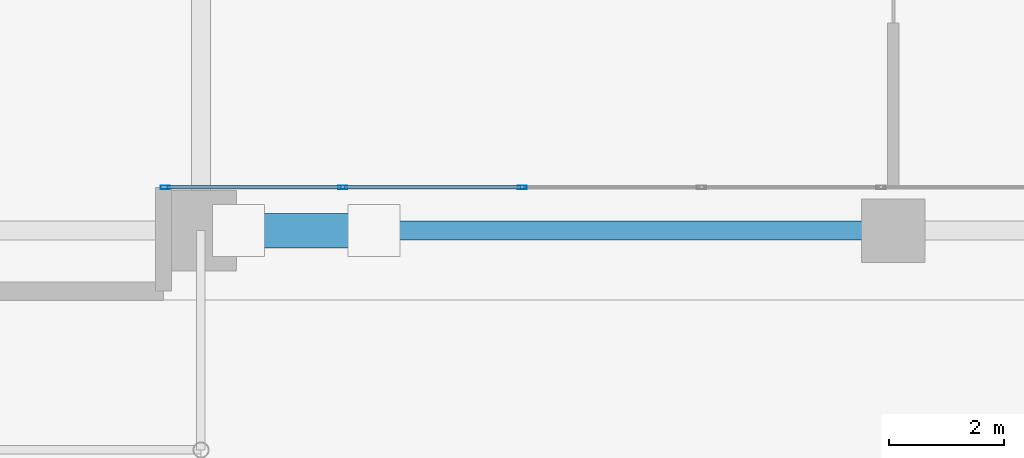
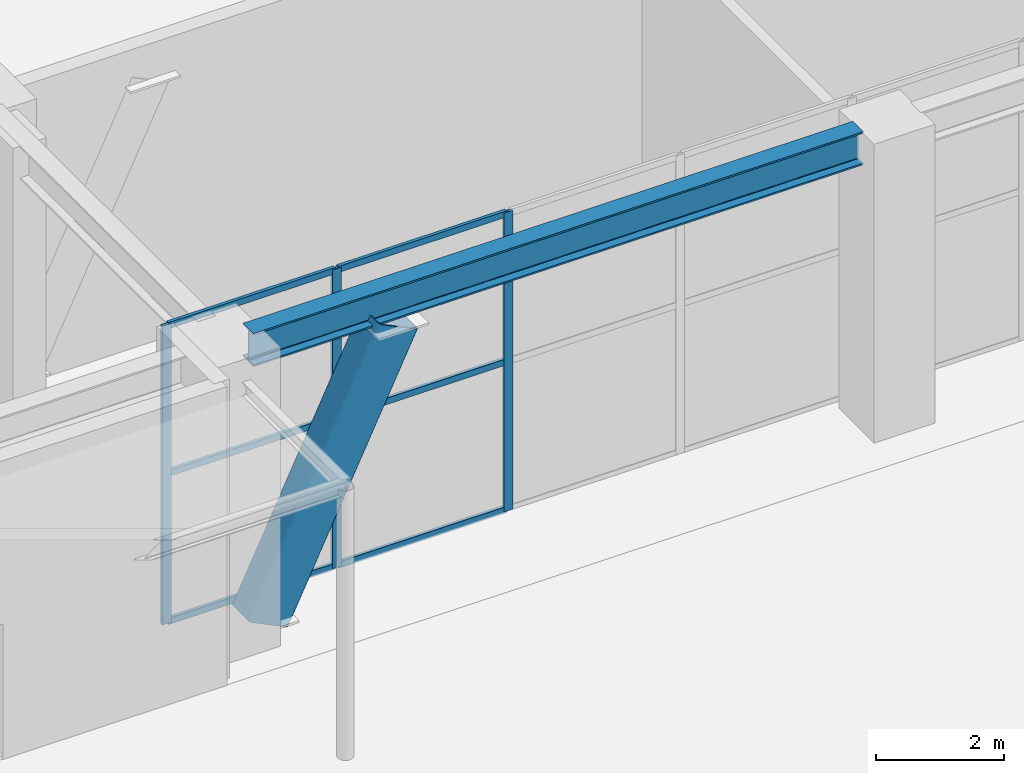
# One storey, part 13 of 49: 10 members, 1 beam, 1 element without a shape of its own.
"""IFC4 building model written with IfcOpenShell, lengths in metres."""

from ifc_helpers import new_model, si_unit, direction, frame, origin, origin_2d, place, context, subcontext, project, spatial, hollow_rectangle, i_section, extrude, material, layer, layer_set, material_profile, profile_set, type_object, element, aggregate, save


model = new_model("IFC4")

# Units and contexts
model_context = context("Model", 3, precision=1e-05, world=origin(), true_north=direction((0.0, 1.0)))
body_context = subcontext(model_context, "Body", "Model", "MODEL_VIEW")
ifc_project = project(units=[si_unit("LENGTHUNIT", "METRE"), si_unit("AREAUNIT", "SQUARE_METRE"), si_unit("VOLUMEUNIT", "CUBIC_METRE"), si_unit("PLANEANGLEUNIT", "RADIAN"), si_unit("MASSUNIT", "GRAM", prefix="KILO")], contexts=[model_context])

# Site, building, storey
site_placement = place(None, origin())
site = spatial("IfcSite", under=ifc_project, at=site_placement, CompositionType="ELEMENT")
building_placement = place(site_placement, origin())
building = spatial("IfcBuilding", under=site, at=building_placement, Name="Sarneth Arch Tower", CompositionType="ELEMENT")
storey_placement = place(building_placement, origin())
storey = spatial("IfcBuildingStorey", under=building, at=storey_placement, Name="L00", CompositionType="ELEMENT", Elevation=0.0)

# Beam
ifc_material_1 = material(Name="Steel S355", Category="steel")
ifc_material_profile_1 = material_profile(ifc_material_1, i_section(OverallWidth=0.3291015625, OverallDepth=0.635009765625, WebThickness=0.017822265625, FlangeThickness=0.031005859375, FilletRadius=0.01904296875, at=origin_2d()), Name="W610x241")
ifc_profile_set_1 = profile_set([ifc_material_profile_1], Name="Steel S355")
beam_type = type_object("IfcBeamType", Name="BM-POD-610", PredefinedType="BEAM", material=ifc_profile_set_1)
beam_placement = place(storey_placement, frame((30.435546875, 9.199951171875, 5.402587890625), z_axis=(1.0, 0.0, 0.0), x_axis=(0.0, 1.0, 0.0)))
element("IfcBeam", 1, at=beam_placement, inside=storey, type_object=beam_type, Name="L00 Podium PS girder 3", PredefinedType="BEAM", context=body_context, shape_type="SweptSolid", body=[
    extrude(i_section(OverallWidth=0.3291015625, OverallDepth=0.635009765625, WebThickness=0.017822265625, FlangeThickness=0.031005859375, FilletRadius=0.01904296875, at=origin_2d()), origin(), (0.0, 0.0, 1.0), 11.04443359375),
])

# Curtain wall, members
ifc_material_2 = material(Name="Anodised aluminium Type AA25 and solar-control low-e laminated IGU", Category="aluminium")
ifc_layer = layer(ifc_material_2, 0.199951171875)
ifc_layer_set = layer_set([ifc_layer], Name="Anodised aluminium Type AA25 and solar-control low-e laminated IGU")
curtain_wall_type = type_object("IfcCurtainWallType", Name="CW-ARCH-GLAZE", PredefinedType="NOTDEFINED", material=ifc_layer_set)
curtain_wall_placement = place(storey_placement, origin())
curtain_wall = element("IfcCurtainWall", 2, at=curtain_wall_placement, inside=storey, type_object=curtain_wall_type, Name="L00 South parabolic arch portal curtain wall", PredefinedType="NOTDEFINED")
ifc_material_3 = material(Name="Anodised Aluminium 6063-T6", Category="aluminium")
ifc_material_profile_2 = material_profile(ifc_material_3, hollow_rectangle(XDim=0.06005859375, YDim=0.159912109375, WallThickness=0.00390625, at=origin_2d()), Name="AL-MULL-160x60x4")
ifc_profile_set_2 = profile_set([ifc_material_profile_2], Name="Anodised Aluminium 6063-T6")
member_type_1 = type_object("IfcMemberType", Name="CW-MULLION", PredefinedType="MULLION", material=ifc_profile_set_2)
member_1_placement = place(storey_placement, frame((29.3798828125, 9.949951171875, 0.0), z_axis=(0.0, 0.0, 1.0), x_axis=(0.0, 1.0, 0.0)))
member_1 = element("IfcMember", 3, at=member_1_placement, type_object=member_type_1, Name="CW-SYS-2 mullion 1", PredefinedType="MULLION", context=body_context, shape_type="SweptSolid", body=[
    extrude(hollow_rectangle(XDim=0.06005859375, YDim=0.159912109375, WallThickness=0.00390625, at=origin_2d()), origin(), (0.0, 0.0, 1.0), 5.719970703125),
])
member_2_placement = place(storey_placement, frame((32.458251953125, 9.949951171875, 0.0), z_axis=(0.0, 0.0, 1.0), x_axis=(0.0, 1.0, 0.0)))
member_2 = element("IfcMember", 4, at=member_2_placement, type_object=member_type_1, Name="CW-SYS-2 mullion 2", PredefinedType="MULLION", context=body_context, shape_type="SweptSolid", body=[
    extrude(hollow_rectangle(XDim=0.06005859375, YDim=0.159912109375, WallThickness=0.00390625, at=origin_2d()), origin(), (0.0, 0.0, 1.0), 5.719970703125),
])
member_3_placement = place(storey_placement, frame((35.566650390625, 9.949951171875, 0.0), z_axis=(0.0, 0.0, 1.0), x_axis=(0.0, 1.0, 0.0)))
member_3 = element("IfcMember", 5, at=member_3_placement, type_object=member_type_1, Name="CW-SYS-2 mullion 3", PredefinedType="MULLION", context=body_context, shape_type="SweptSolid", body=[
    extrude(hollow_rectangle(XDim=0.06005859375, YDim=0.159912109375, WallThickness=0.00390625, at=origin_2d()), origin(), (0.0, 0.0, 1.0), 5.719970703125),
])
ifc_material_4 = material(Name="Anodised Aluminium 6063-T6", Category="aluminium")
ifc_material_profile_3 = material_profile(ifc_material_4, hollow_rectangle(XDim=0.06005859375, YDim=0.1201171875, WallThickness=0.00390625, at=origin_2d()), Name="AL-TRAN-120x60x4")
ifc_profile_set_3 = profile_set([ifc_material_profile_3], Name="Anodised Aluminium 6063-T6")
member_type_2 = type_object("IfcMemberType", Name="CW-TRANSOM", PredefinedType="USERDEFINED", material=ifc_profile_set_3)
member_4_placement = place(storey_placement, frame((29.409912109375, 9.949951171875, 0.030029296875), z_axis=(1.0, 0.0, 0.0), x_axis=(0.0, 1.0, 0.0)))
member_4 = element("IfcMember", 6, at=member_4_placement, type_object=member_type_2, Name="CW-SYS-2 transom 1.1", ObjectType="TRANSOM", PredefinedType="USERDEFINED", context=body_context, shape_type="SweptSolid", body=[
    extrude(hollow_rectangle(XDim=0.06005859375, YDim=0.1201171875, WallThickness=0.00390625, at=origin_2d()), origin(), (0.0, 0.0, 1.0), 3.018310546875),
])
member_5_placement = place(storey_placement, frame((29.409912109375, 9.949951171875, 2.860107421875), z_axis=(1.0, 0.0, 0.0), x_axis=(0.0, 1.0, 0.0)))
member_5 = element("IfcMember", 7, at=member_5_placement, type_object=member_type_2, Name="CW-SYS-2 transom 1.2", ObjectType="TRANSOM", PredefinedType="USERDEFINED", context=body_context, shape_type="SweptSolid", body=[
    extrude(hollow_rectangle(XDim=0.06005859375, YDim=0.1201171875, WallThickness=0.00390625, at=origin_2d()), origin(), (0.0, 0.0, 1.0), 3.018310546875),
])
member_6_placement = place(storey_placement, frame((29.409912109375, 9.949951171875, 5.68994140625), z_axis=(1.0, 0.0, 0.0), x_axis=(0.0, 1.0, 0.0)))
member_6 = element("IfcMember", 8, at=member_6_placement, type_object=member_type_2, Name="CW-SYS-2 transom 1.3", ObjectType="TRANSOM", PredefinedType="USERDEFINED", context=body_context, shape_type="SweptSolid", body=[
    extrude(hollow_rectangle(XDim=0.06005859375, YDim=0.1201171875, WallThickness=0.00390625, at=origin_2d()), origin(), (0.0, 0.0, 1.0), 3.018310546875),
])
member_7_placement = place(storey_placement, frame((32.48828125, 9.949951171875, 0.030029296875), z_axis=(1.0, 0.0, 0.0), x_axis=(0.0, 1.0, 0.0)))
member_7 = element("IfcMember", 9, at=member_7_placement, type_object=member_type_2, Name="CW-SYS-2 transom 2.1", ObjectType="TRANSOM", PredefinedType="USERDEFINED", context=body_context, shape_type="SweptSolid", body=[
    extrude(hollow_rectangle(XDim=0.06005859375, YDim=0.1201171875, WallThickness=0.00390625, at=origin_2d()), origin(), (0.0, 0.0, 1.0), 3.04833984375),
])
member_8_placement = place(storey_placement, frame((32.48828125, 9.949951171875, 2.860107421875), z_axis=(1.0, 0.0, 0.0), x_axis=(0.0, 1.0, 0.0)))
member_8 = element("IfcMember", 10, at=member_8_placement, type_object=member_type_2, Name="CW-SYS-2 transom 2.2", ObjectType="TRANSOM", PredefinedType="USERDEFINED", context=body_context, shape_type="SweptSolid", body=[
    extrude(hollow_rectangle(XDim=0.06005859375, YDim=0.1201171875, WallThickness=0.00390625, at=origin_2d()), origin(), (0.0, 0.0, 1.0), 3.04833984375),
])
member_9_placement = place(storey_placement, frame((32.48828125, 9.949951171875, 5.68994140625), z_axis=(1.0, 0.0, 0.0), x_axis=(0.0, 1.0, 0.0)))
member_9 = element("IfcMember", 11, at=member_9_placement, type_object=member_type_2, Name="CW-SYS-2 transom 2.3", ObjectType="TRANSOM", PredefinedType="USERDEFINED", context=body_context, shape_type="SweptSolid", body=[
    extrude(hollow_rectangle(XDim=0.06005859375, YDim=0.1201171875, WallThickness=0.00390625, at=origin_2d()), origin(), (0.0, 0.0, 1.0), 3.04833984375),
])
aggregate(curtain_wall, [member_1, member_2, member_3, member_4, member_5, member_6, member_7, member_8, member_9])

# Member
ifc_material_5 = material(Name="Steel S355", Category="steel")
ifc_material_profile_4 = material_profile(ifc_material_5, hollow_rectangle(XDim=0.60009765625, YDim=0.800048828125, WallThickness=0.028076171875, InnerFilletRadius=0.0419921875, OuterFilletRadius=0.070068359375, at=origin_2d()), Name="RHS800x600x28")
ifc_profile_set_4 = profile_set([ifc_material_profile_4], Name="Steel S355")
member_type_3 = type_object("IfcMemberType", Name="MEM-ARCH-CHORD", PredefinedType="CHORD", material=ifc_profile_set_4)
member_10_placement = place(storey_placement, frame((30.64990234375, 9.199951171875, 0.14990234375), z_axis=(0.433788519804, 0.0, 0.901014716909), x_axis=(0.0, 1.0, 0.0)))
element("IfcMember", 12, at=member_10_placement, inside=storey, type_object=member_type_3, Name="Podium parabolic arch rib 1 segment 1", PredefinedType="CHORD", context=body_context, shape_type="SweptSolid", body=[
    extrude(hollow_rectangle(XDim=0.60009765625, YDim=0.800048828125, WallThickness=0.028076171875, InnerFilletRadius=0.0419921875, OuterFilletRadius=0.070068359375, at=origin_2d()), origin(), (0.0, 0.0, 1.0), 5.417724609375),
])

save(model, "model.ifc")
